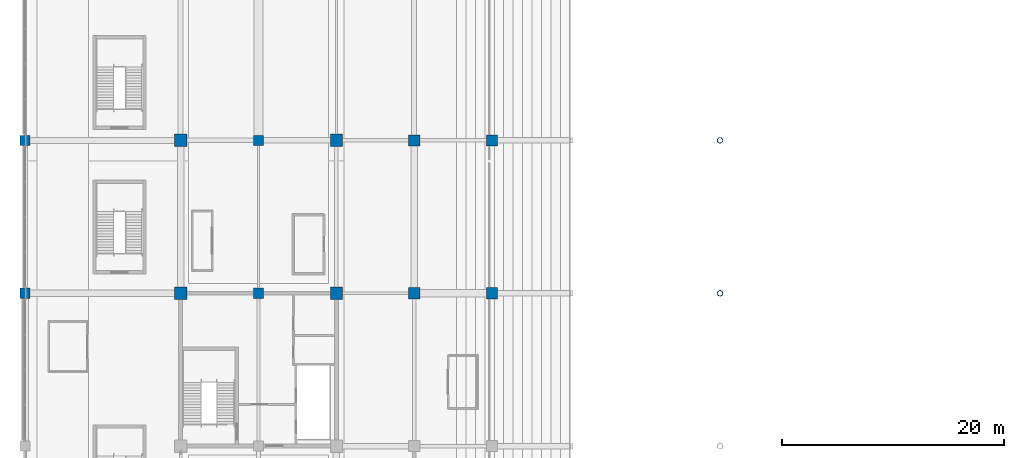
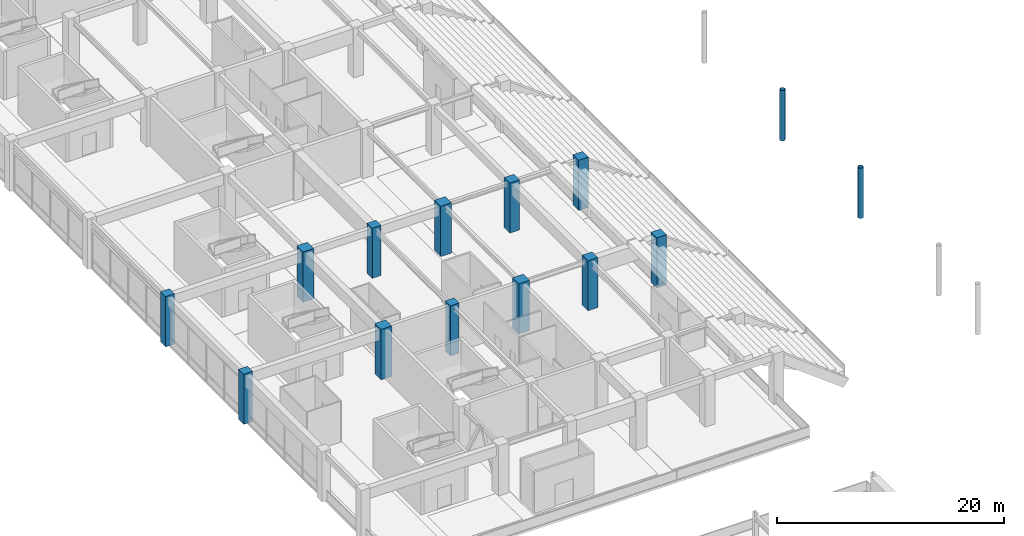
# One storey, part 6 of 117: 14 columns.
"""IFC4 building model written with IfcOpenShell, lengths in metres."""

from ifc_helpers import new_model, si_unit, direction, frame, origin, origin_2d, place, context, subcontext, project, spatial, rectangle, hollow_circle, extrude, material, material_profile, profile_set, type_object, element, save


model = new_model("IFC4")

# Units and contexts
model_context = context("Model", 3, precision=1e-05, world=origin(), true_north=direction((0.0, 1.0)))
body_context = subcontext(model_context, "Body", "Model", "MODEL_VIEW")
ifc_project = project(units=[si_unit("LENGTHUNIT", "METRE"), si_unit("AREAUNIT", "SQUARE_METRE"), si_unit("VOLUMEUNIT", "CUBIC_METRE"), si_unit("PLANEANGLEUNIT", "RADIAN"), si_unit("MASSUNIT", "GRAM", prefix="KILO")], contexts=[model_context])

# Site, building, storey
site_placement = place(None, origin())
site = spatial("IfcSite", under=ifc_project, at=site_placement, CompositionType="ELEMENT")
building_placement = place(site_placement, origin())
building = spatial("IfcBuilding", under=site, at=building_placement, Name="Linyun Crest Stadium", CompositionType="ELEMENT")
storey_placement = place(building_placement, frame((0.0, 0.0, 6.0)))
storey = spatial("IfcBuildingStorey", under=building, at=storey_placement, Name="L02", CompositionType="ELEMENT", Elevation=6.0)

# Columns
ifc_material_1 = material(Name="Concrete C50", Category="concrete")
ifc_material_profile_1 = material_profile(ifc_material_1, rectangle(XDim=0.89990234375, YDim=0.89990234375, at=origin_2d()), Name="RC 900x900")
ifc_profile_set_1 = profile_set([ifc_material_profile_1], Name="Concrete C50")
column_type_1 = type_object("IfcColumnType", Name="C04", PredefinedType="COLUMN", material=ifc_profile_set_1)
for number, where, z_axis, x_axis, name in (
    (1, (-98.0, -25.375, 0.0), (0.0, 0.0, 1.0), (1.0, 0.0, 0.0), "Column C04 L02 15"),
    (2, (-98.0, -11.625, 0.0), (0.0, 0.0, 1.0), (1.0, 0.0, 0.0), "Column C04 L02 21"),
    (3, (-77.0, -25.375, 0.0), (0.0, 0.0, 1.0), (1.0, 0.0, 0.0), "Column C04 L02 117"),
    (4, (-77.0, -11.625, 0.0), (0.0, 0.0, 1.0), (1.0, 0.0, 0.0), "Column C04 L02 122"),
):
    element("IfcColumn", number, at=place(storey_placement, frame(where, z_axis=z_axis, x_axis=x_axis)), inside=storey, type_object=column_type_1, Name=name, PredefinedType="COLUMN", context=body_context, shape_type="SweptSolid", body=[
        extrude(rectangle(XDim=0.89990234375, YDim=0.89990234375, at=origin_2d()), origin(), (0.0, 0.0, 1.0), 5.39794921875),
    ])
ifc_material_2 = material(Name="Concrete C50", Category="concrete")
ifc_material_profile_2 = material_profile(ifc_material_2, rectangle(XDim=1.0, YDim=1.0, at=origin_2d()), Name="RC 1000x1000")
ifc_profile_set_2 = profile_set([ifc_material_profile_2], Name="Concrete C50")
column_type_2 = type_object("IfcColumnType", Name="C05", PredefinedType="COLUMN", material=ifc_profile_set_2)
for number, where, z_axis, x_axis, name in (
    (5, (-63.0, -25.375, 0.0), (0.0, 0.0, 1.0), (1.0, 0.0, 0.0), "Column C05 L02 213"),
    (6, (-63.0, -11.625, 0.0), (0.0, 0.0, 1.0), (1.0, 0.0, 0.0), "Column C05 L02 218"),
    (7, (-56.0, -25.375, 0.0), (0.0, 0.0, 1.0), (1.0, 0.0, 0.0), "Column C05 L02 251"),
    (8, (-56.0, -11.625, 0.0), (0.0, 0.0, 1.0), (1.0, 0.0, 0.0), "Column C05 L02 255"),
):
    element("IfcColumn", number, at=place(storey_placement, frame(where, z_axis=z_axis, x_axis=x_axis)), inside=storey, type_object=column_type_2, Name=name, PredefinedType="COLUMN", context=body_context, shape_type="SweptSolid", body=[
        extrude(rectangle(XDim=1.0, YDim=1.0, at=origin_2d()), origin(), (0.0, 0.0, 1.0), 5.39794921875),
    ])
ifc_material_3 = material(Name="Concrete C50", Category="concrete")
ifc_material_profile_3 = material_profile(ifc_material_3, rectangle(XDim=1.10009765625, YDim=1.10009765625, at=origin_2d()), Name="RC 1100x1100")
ifc_profile_set_3 = profile_set([ifc_material_profile_3], Name="Concrete C50")
column_type_3 = type_object("IfcColumnType", Name="C06", PredefinedType="COLUMN", material=ifc_profile_set_3)
for number, where, z_axis, x_axis, name in (
    (9, (-84.0, -25.375, 0.0), (0.0, 0.0, 1.0), (1.0, 0.0, 0.0), "Column C06 L02 65"),
    (10, (-84.0, -11.625, 0.0), (0.0, 0.0, 1.0), (1.0, 0.0, 0.0), "Column C06 L02 72"),
    (11, (-70.0, -25.375, 0.0), (0.0, 0.0, 1.0), (1.0, 0.0, 0.0), "Column C06 L02 161"),
    (12, (-70.0, -11.625, 0.0), (0.0, 0.0, 1.0), (1.0, 0.0, 0.0), "Column C06 L02 168"),
):
    element("IfcColumn", number, at=place(storey_placement, frame(where, z_axis=z_axis, x_axis=x_axis)), inside=storey, type_object=column_type_3, Name=name, PredefinedType="COLUMN", context=body_context, shape_type="SweptSolid", body=[
        extrude(rectangle(XDim=1.10009765625, YDim=1.10009765625, at=origin_2d()), origin(), (0.0, 0.0, 1.0), 5.39794921875),
    ])
ifc_material_4 = material(Name="Steel Q355C", Category="steel")
ifc_material_profile_4 = material_profile(ifc_material_4, hollow_circle(Radius=0.25390625, WallThickness=0.02490234375, at=origin_2d()), Name="CHS 508x25")
ifc_profile_set_4 = profile_set([ifc_material_profile_4], Name="Steel Q355C")
column_type_4 = type_object("IfcColumnType", Name="SC05", PredefinedType="COLUMN", material=ifc_profile_set_4)
for number, where, z_axis, x_axis, name in (
    (13, (-35.5, -25.375, 0.0), (0.0, 0.0, 1.0), (1.0, 0.0, 0.0), "Arch colonnade column SC05 L02 6"),
    (14, (-35.5, -11.625, 0.0), (0.0, 0.0, 1.0), (1.0, 0.0, 0.0), "Arch colonnade column SC05 L02 8"),
):
    element("IfcColumn", number, at=place(storey_placement, frame(where, z_axis=z_axis, x_axis=x_axis)), inside=storey, type_object=column_type_4, Name=name, PredefinedType="COLUMN", context=body_context, shape_type="SweptSolid", body=[
        extrude(hollow_circle(Radius=0.25390625, WallThickness=0.02490234375, at=origin_2d()), origin(), (0.0, 0.0, 1.0), 5.39990234375),
    ])

save(model, "model.ifc")
